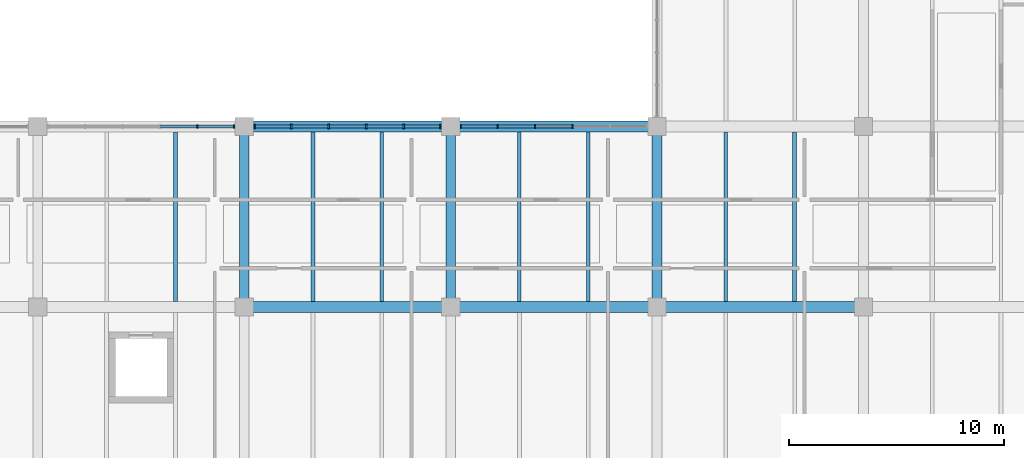
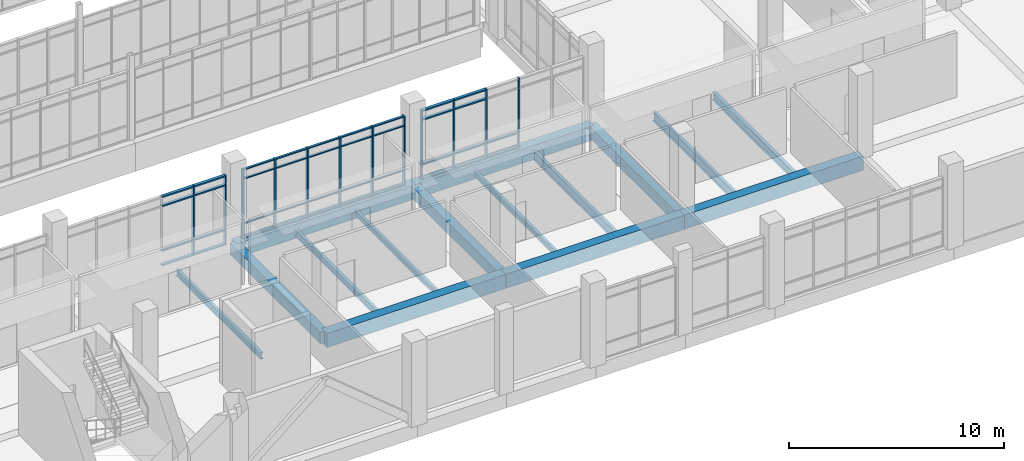
# One storey, part 46 of 152: 50 members, 15 beams, 3 elements without a shape of their own.
"""IFC4 building model written with IfcOpenShell, lengths in metres."""

from ifc_helpers import new_model, si_unit, direction, frame, origin, origin_2d, place, context, subcontext, project, spatial, rectangle, i_section, extrude, material, material_profile, profile_set, type_object, element, aggregate, save


model = new_model("IFC4")

# Units and contexts
model_context = context("Model", 3, precision=1e-05, world=origin(), true_north=direction((0.0, 1.0)))
body_context = subcontext(model_context, "Body", "Model", "MODEL_VIEW")
ifc_project = project(units=[si_unit("LENGTHUNIT", "METRE"), si_unit("AREAUNIT", "SQUARE_METRE"), si_unit("VOLUMEUNIT", "CUBIC_METRE"), si_unit("PLANEANGLEUNIT", "RADIAN"), si_unit("MASSUNIT", "GRAM", prefix="KILO")], contexts=[model_context])

# Site, building, storey
site_placement = place(None, origin())
site = spatial("IfcSite", under=ifc_project, at=site_placement, CompositionType="ELEMENT")
building_placement = place(site_placement, origin())
building = spatial("IfcBuilding", under=site, at=building_placement, Name="Oolite Switchyard Hospital", CompositionType="ELEMENT")
storey_placement = place(building_placement, frame((0.0, 0.0, 5.10009765625)))
storey = spatial("IfcBuildingStorey", under=building, at=storey_placement, Name="L01", CompositionType="ELEMENT", Elevation=5.10009765625)

# Beams
ifc_material_1 = material(Name="Concrete C40/50", Category="concrete")
ifc_material_profile_1 = material_profile(ifc_material_1, rectangle(XDim=0.449951171875, YDim=0.64990234375, at=origin_2d()), Name="RCB450X650")
ifc_profile_set_1 = profile_set([ifc_material_profile_1], Name="Concrete C40/50")
beam_type_1 = type_object("IfcBeamType", Name="BM-RC450X650", PredefinedType="BEAM", material=ifc_profile_set_1)
for number, where, z_axis, x_axis, name in (
    (1, (163.199951171875, 16.800048828125, -0.3251953125), (0.0, 1.0, 0.0), (-1.0, 0.0, 0.0), "L01 Y-Girder 488"),
    (2, (172.800048828125, 16.800048828125, -0.3251953125), (0.0, 1.0, 0.0), (-1.0, 0.0, 0.0), "L01 Y-Girder 500"),
    (3, (182.39990234375, 16.800048828125, -0.3251953125), (0.0, 1.0, 0.0), (-1.0, 0.0, 0.0), "L01 Y-Girder 512"),
):
    element("IfcBeam", number, at=place(storey_placement, frame(where, z_axis=z_axis, x_axis=x_axis)), inside=storey, type_object=beam_type_1, Name=name, PredefinedType="BEAM", context=body_context, shape_type="SweptSolid", body=[
        extrude(rectangle(XDim=0.449951171875, YDim=0.64990234375, at=origin_2d()), origin(), (0.0, 0.0, 1.0), 8.39990234375),
    ])
ifc_material_profile_2 = material_profile(ifc_material_1, rectangle(XDim=0.5, YDim=0.800048828125, at=origin_2d()), Name="RCB500X800")
ifc_profile_set_2 = profile_set([ifc_material_profile_2], Name="Concrete C40/50")
beam_type_2 = type_object("IfcBeamType", Name="BM-RC500X800", PredefinedType="BEAM", material=ifc_profile_set_2)
beam_1_placement = place(storey_placement, frame((163.199951171875, 16.800048828125, -0.400146484375), z_axis=(1.0, 0.0, 0.0), x_axis=(0.0, 1.0, 0.0)))
element("IfcBeam", 4, at=beam_1_placement, inside=storey, type_object=beam_type_2, Name="L01 X-Girder 36", PredefinedType="BEAM", context=body_context, shape_type="SweptSolid", body=[
    extrude(rectangle(XDim=0.5, YDim=0.800048828125, at=origin_2d()), origin(), (0.0, 0.0, 1.0), 9.60009765625),
])
beam_2_placement = place(storey_placement, frame((172.800048828125, 16.800048828125, -0.400146484375), z_axis=(1.0, 0.0, 0.0), x_axis=(0.0, 1.0, 0.0)))
element("IfcBeam", 5, at=beam_2_placement, inside=storey, type_object=beam_type_2, Name="L01 X-Girder 37", PredefinedType="BEAM", context=body_context, shape_type="SweptSolid", body=[
    extrude(rectangle(XDim=0.5, YDim=0.800048828125, at=origin_2d()), origin(), (0.0, 0.0, 1.0), 9.599853515625),
])
for number, where, z_axis, x_axis, name in (
    (6, (182.39990234375, 16.800048828125, -0.400146484375), (1.0, 0.0, 0.0), (0.0, 1.0, 0.0), "L01 X-Girder 38"),
    (7, (163.199951171875, 25.199951171875, -0.400146484375), (1.0, 0.0, 0.0), (0.0, 1.0, 0.0), "L01 X-Girder 57"),
):
    element("IfcBeam", number, at=place(storey_placement, frame(where, z_axis=z_axis, x_axis=x_axis)), inside=storey, type_object=beam_type_2, Name=name, PredefinedType="BEAM", context=body_context, shape_type="SweptSolid", body=[
        extrude(rectangle(XDim=0.5, YDim=0.800048828125, at=origin_2d()), origin(), (0.0, 0.0, 1.0), 9.60009765625),
    ])
beam_3_placement = place(storey_placement, frame((172.800048828125, 25.199951171875, -0.400146484375), z_axis=(1.0, 0.0, 0.0), x_axis=(0.0, 1.0, 0.0)))
element("IfcBeam", 8, at=beam_3_placement, inside=storey, type_object=beam_type_2, Name="L01 X-Girder 58", PredefinedType="BEAM", context=body_context, shape_type="SweptSolid", body=[
    extrude(rectangle(XDim=0.5, YDim=0.800048828125, at=origin_2d()), origin(), (0.0, 0.0, 1.0), 9.599853515625),
])
ifc_material_2 = material(Name="Steel ASTM A992 Grade 50", Category="steel")
ifc_material_profile_3 = material_profile(ifc_material_2, i_section(OverallWidth=0.1650390625, OverallDepth=0.31005859375, WebThickness=0.006103515625, FlangeThickness=0.010009765625, at=origin_2d()), Name="W12X26")
ifc_profile_set_3 = profile_set([ifc_material_profile_3], Name="Steel ASTM A992 Grade 50")
beam_type_3 = type_object("IfcBeamType", Name="BM-W12X26", PredefinedType="JOIST", material=ifc_profile_set_3)
for number, where, z_axis, x_axis, name in (
    (9, (169.60009765625, 17.050048828125, -0.43017578125), (0.0, 1.0, 0.0), (-1.0, 0.0, 0.0), "L01 Secondary Steel Joist 895"),
    (10, (176.0, 17.050048828125, -0.43017578125), (0.0, 1.0, 0.0), (-1.0, 0.0, 0.0), "L01 Secondary Steel Joist 914"),
):
    element("IfcBeam", number, at=place(storey_placement, frame(where, z_axis=z_axis, x_axis=x_axis)), inside=storey, type_object=beam_type_3, Name=name, PredefinedType="JOIST", context=body_context, shape_type="SweptSolid", body=[
        extrude(i_section(OverallWidth=0.1650390625, OverallDepth=0.31005859375, WebThickness=0.006103515625, FlangeThickness=0.010009765625, at=origin_2d()), origin(), (0.0, 0.0, 1.0), 7.89990234375),
    ])
ifc_material_profile_4 = material_profile(ifc_material_2, i_section(OverallWidth=0.1708984375, OverallDepth=0.35107421875, WebThickness=0.007080078125, FlangeThickness=0.010009765625, at=origin_2d()), Name="W14X30")
ifc_profile_set_4 = profile_set([ifc_material_profile_4], Name="Steel ASTM A992 Grade 50")
beam_type_4 = type_object("IfcBeamType", Name="BM-W14X30", PredefinedType="JOIST", material=ifc_profile_set_4)
for number, where, z_axis, x_axis, name in (
    (11, (160.0, 17.050048828125, -0.4501953125), (0.0, 1.0, 0.0), (-1.0, 0.0, 0.0), "L01 Secondary Steel Joist 875"),
    (12, (166.39990234375, 17.050048828125, -0.4501953125), (0.0, 1.0, 0.0), (-1.0, 0.0, 0.0), "L01 Secondary Steel Joist 894"),
):
    element("IfcBeam", number, at=place(storey_placement, frame(where, z_axis=z_axis, x_axis=x_axis)), inside=storey, type_object=beam_type_4, Name=name, PredefinedType="JOIST", context=body_context, shape_type="SweptSolid", body=[
        extrude(i_section(OverallWidth=0.1708984375, OverallDepth=0.35107421875, WebThickness=0.007080078125, FlangeThickness=0.010009765625, at=origin_2d()), origin(), (0.0, 0.0, 1.0), 7.89990234375),
    ])
ifc_material_profile_5 = material_profile(ifc_material_2, i_section(OverallWidth=0.19091796875, OverallDepth=0.4599609375, WebThickness=0.010009765625, FlangeThickness=0.01611328125, at=origin_2d()), Name="W18X55")
ifc_profile_set_5 = profile_set([ifc_material_profile_5], Name="Steel ASTM A992 Grade 50")
beam_type_5 = type_object("IfcBeamType", Name="BM-W18X55", PredefinedType="JOIST", material=ifc_profile_set_5)
beam_4_placement = place(storey_placement, frame((188.800048828125, 17.050048828125, -0.505126953125), z_axis=(0.0, 1.0, 0.0), x_axis=(-1.0, 0.0, 0.0)))
element("IfcBeam", 13, at=beam_4_placement, inside=storey, type_object=beam_type_5, Name="L01 Secondary Steel Joist 931", PredefinedType="JOIST", context=body_context, shape_type="SweptSolid", body=[
    extrude(i_section(OverallWidth=0.19091796875, OverallDepth=0.4599609375, WebThickness=0.010009765625, FlangeThickness=0.01611328125, at=origin_2d()), origin(), (0.0, 0.0, 1.0), 7.89990234375),
])
ifc_material_profile_6 = material_profile(ifc_material_2, i_section(OverallWidth=0.166015625, OverallDepth=0.529052734375, WebThickness=0.010009765625, FlangeThickness=0.013916015625, at=origin_2d()), Name="W21X50")
ifc_profile_set_6 = profile_set([ifc_material_profile_6], Name="Steel ASTM A992 Grade 50")
beam_type_6 = type_object("IfcBeamType", Name="BM-W21X50", PredefinedType="JOIST", material=ifc_profile_set_6)
for number, where, z_axis, x_axis, name in (
    (14, (179.199951171875, 17.050048828125, -0.5400390625), (0.0, 1.0, 0.0), (-1.0, 0.0, 0.0), "L01 Secondary Steel Joist 915"),
    (15, (185.60009765625, 17.050048828125, -0.5400390625), (0.0, 1.0, 0.0), (-1.0, 0.0, 0.0), "L01 Secondary Steel Joist 930"),
):
    element("IfcBeam", number, at=place(storey_placement, frame(where, z_axis=z_axis, x_axis=x_axis)), inside=storey, type_object=beam_type_6, Name=name, PredefinedType="JOIST", context=body_context, shape_type="SweptSolid", body=[
        extrude(i_section(OverallWidth=0.166015625, OverallDepth=0.529052734375, WebThickness=0.010009765625, FlangeThickness=0.013916015625, at=origin_2d()), origin(), (0.0, 0.0, 1.0), 7.89990234375),
    ])

# Curtain wall, members
ifc_material_3 = material(Name="Thermally broken aluminum frame with laminated impact glazing", Category="aluminium")
curtain_wall_type = type_object("IfcCurtainWallType", Name="CW-UNIT-96X48", PredefinedType="USERDEFINED", material=ifc_material_3)
curtain_wall_1_placement = place(storey_placement, origin())
curtain_wall_1 = element("IfcCurtainWall", 16, at=curtain_wall_1_placement, inside=storey, type_object=curtain_wall_type, Name="L01 Unitised Curtain Wall 107", ObjectType="UNITISED", PredefinedType="USERDEFINED")
ifc_material_4 = material(Name="Aluminium 6063-T6", Category="aluminium")
ifc_material_profile_7 = material_profile(ifc_material_4, rectangle(XDim=0.159912109375, YDim=0.06005859375, at=origin_2d()), Name="CWM60X160")
ifc_profile_set_7 = profile_set([ifc_material_profile_7], Name="Aluminium 6063-T6")
member_type_1 = type_object("IfcMemberType", Name="CW-MUL-180", PredefinedType="MULLION", material=ifc_profile_set_7)
member_1_placement = place(storey_placement, frame((173.27001953125, 25.199951171875, 0.0), z_axis=(0.0, 0.0, 1.0), x_axis=(0.0, 1.0, 0.0)))
member_1 = element("IfcMember", 17, at=member_1_placement, type_object=member_type_1, Name="CW-02 mullion 1", PredefinedType="MULLION", context=body_context, shape_type="SweptSolid", body=[
    extrude(rectangle(XDim=0.159912109375, YDim=0.06005859375, at=origin_2d()), origin(), (0.0, 0.0, 1.0), 3.93994140625),
])
member_2_placement = place(storey_placement, frame((174.98388671875, 25.199951171875, 0.0), z_axis=(0.0, 0.0, 1.0), x_axis=(0.0, 1.0, 0.0)))
member_2 = element("IfcMember", 18, at=member_2_placement, type_object=member_type_1, Name="CW-02 mullion 2", PredefinedType="MULLION", context=body_context, shape_type="SweptSolid", body=[
    extrude(rectangle(XDim=0.159912109375, YDim=0.06005859375, at=origin_2d()), origin(), (0.0, 0.0, 1.0), 3.93994140625),
])
member_3_placement = place(storey_placement, frame((176.72802734375, 25.199951171875, 0.0), z_axis=(0.0, 0.0, 1.0), x_axis=(0.0, 1.0, 0.0)))
member_3 = element("IfcMember", 19, at=member_3_placement, type_object=member_type_1, Name="CW-02 mullion 3", PredefinedType="MULLION", context=body_context, shape_type="SweptSolid", body=[
    extrude(rectangle(XDim=0.159912109375, YDim=0.06005859375, at=origin_2d()), origin(), (0.0, 0.0, 1.0), 3.93994140625),
])
member_4_placement = place(storey_placement, frame((178.471923828125, 25.199951171875, 0.0), z_axis=(0.0, 0.0, 1.0), x_axis=(0.0, 1.0, 0.0)))
member_4 = element("IfcMember", 20, at=member_4_placement, type_object=member_type_1, Name="CW-02 mullion 4", PredefinedType="MULLION", context=body_context, shape_type="SweptSolid", body=[
    extrude(rectangle(XDim=0.159912109375, YDim=0.06005859375, at=origin_2d()), origin(), (0.0, 0.0, 1.0), 3.93994140625),
])

curtain_wall_2_placement = place(storey_placement, origin())
curtain_wall_2 = element("IfcCurtainWall", 21, at=curtain_wall_2_placement, inside=storey, type_object=curtain_wall_type, Name="L01 Unitised Curtain Wall 105", ObjectType="UNITISED", PredefinedType="USERDEFINED")
ifc_material_profile_8 = material_profile(ifc_material_4, rectangle(XDim=0.179931640625, YDim=0.070068359375, at=origin_2d()), Name="CWM70X180")
ifc_profile_set_8 = profile_set([ifc_material_profile_8], Name="Aluminium 6063-T6")
member_type_2 = type_object("IfcMemberType", Name="CW-MUL-220", PredefinedType="MULLION", material=ifc_profile_set_8)
member_5_placement = place(storey_placement, frame((161.01611328125, 25.199951171875, 0.0), z_axis=(0.0, 0.0, 1.0), x_axis=(0.0, 1.0, 0.0)))
member_5 = element("IfcMember", 22, at=member_5_placement, type_object=member_type_2, Name="CW-02 mullion 5", PredefinedType="MULLION", context=body_context, shape_type="SweptSolid", body=[
    extrude(rectangle(XDim=0.179931640625, YDim=0.070068359375, at=origin_2d()), origin(), (0.0, 0.0, 1.0), 3.93994140625),
])
member_6_placement = place(storey_placement, frame((162.72509765625, 25.199951171875, 0.0), z_axis=(0.0, 0.0, 1.0), x_axis=(0.0, 1.0, 0.0)))
member_6 = element("IfcMember", 23, at=member_6_placement, type_object=member_type_2, Name="CW-02 mullion 6", PredefinedType="MULLION", context=body_context, shape_type="SweptSolid", body=[
    extrude(rectangle(XDim=0.179931640625, YDim=0.070068359375, at=origin_2d()), origin(), (0.0, 0.0, 1.0), 3.93994140625),
])

curtain_wall_3_placement = place(storey_placement, origin())
curtain_wall_3 = element("IfcCurtainWall", 24, at=curtain_wall_3_placement, inside=storey, type_object=curtain_wall_type, Name="L01 Unitised Curtain Wall 106", ObjectType="UNITISED", PredefinedType="USERDEFINED")
ifc_material_profile_9 = material_profile(ifc_material_4, rectangle(XDim=0.199951171875, YDim=0.074951171875, at=origin_2d()), Name="CWM75X200")
ifc_profile_set_9 = profile_set([ifc_material_profile_9], Name="Aluminium 6063-T6")
member_type_3 = type_object("IfcMemberType", Name="CW-MUL-260", PredefinedType="MULLION", material=ifc_profile_set_9)
member_7_placement = place(storey_placement, frame((163.677490234375, 25.199951171875, 0.0), z_axis=(0.0, 0.0, 1.0), x_axis=(0.0, 1.0, 0.0)))
member_7 = element("IfcMember", 25, at=member_7_placement, type_object=member_type_3, Name="CW-02 mullion 1", PredefinedType="MULLION", context=body_context, shape_type="SweptSolid", body=[
    extrude(rectangle(XDim=0.199951171875, YDim=0.074951171875, at=origin_2d()), origin(), (0.0, 0.0, 1.0), 3.93994140625),
])
member_8_placement = place(storey_placement, frame((165.384033203125, 25.199951171875, 0.0), z_axis=(0.0, 0.0, 1.0), x_axis=(0.0, 1.0, 0.0)))
member_8 = element("IfcMember", 26, at=member_8_placement, type_object=member_type_3, Name="CW-02 mullion 2", PredefinedType="MULLION", context=body_context, shape_type="SweptSolid", body=[
    extrude(rectangle(XDim=0.199951171875, YDim=0.074951171875, at=origin_2d()), origin(), (0.0, 0.0, 1.0), 3.93994140625),
])
member_9_placement = place(storey_placement, frame((167.1279296875, 25.199951171875, 0.0), z_axis=(0.0, 0.0, 1.0), x_axis=(0.0, 1.0, 0.0)))
member_9 = element("IfcMember", 27, at=member_9_placement, type_object=member_type_3, Name="CW-02 mullion 3", PredefinedType="MULLION", context=body_context, shape_type="SweptSolid", body=[
    extrude(rectangle(XDim=0.199951171875, YDim=0.074951171875, at=origin_2d()), origin(), (0.0, 0.0, 1.0), 3.93994140625),
])
member_10_placement = place(storey_placement, frame((168.8720703125, 25.199951171875, 0.0), z_axis=(0.0, 0.0, 1.0), x_axis=(0.0, 1.0, 0.0)))
member_10 = element("IfcMember", 28, at=member_10_placement, type_object=member_type_3, Name="CW-02 mullion 4", PredefinedType="MULLION", context=body_context, shape_type="SweptSolid", body=[
    extrude(rectangle(XDim=0.199951171875, YDim=0.074951171875, at=origin_2d()), origin(), (0.0, 0.0, 1.0), 3.93994140625),
])
member_11_placement = place(storey_placement, frame((170.615966796875, 25.199951171875, 0.0), z_axis=(0.0, 0.0, 1.0), x_axis=(0.0, 1.0, 0.0)))
member_11 = element("IfcMember", 29, at=member_11_placement, type_object=member_type_3, Name="CW-02 mullion 5", PredefinedType="MULLION", context=body_context, shape_type="SweptSolid", body=[
    extrude(rectangle(XDim=0.199951171875, YDim=0.074951171875, at=origin_2d()), origin(), (0.0, 0.0, 1.0), 3.93994140625),
])
member_12_placement = place(storey_placement, frame((172.322509765625, 25.199951171875, 0.0), z_axis=(0.0, 0.0, 1.0), x_axis=(0.0, 1.0, 0.0)))
member_12 = element("IfcMember", 30, at=member_12_placement, type_object=member_type_3, Name="CW-02 mullion 6", PredefinedType="MULLION", context=body_context, shape_type="SweptSolid", body=[
    extrude(rectangle(XDim=0.199951171875, YDim=0.074951171875, at=origin_2d()), origin(), (0.0, 0.0, 1.0), 3.93994140625),
])
ifc_material_profile_10 = material_profile(ifc_material_4, rectangle(XDim=0.1201171875, YDim=0.06005859375, at=origin_2d()), Name="CWT60X120")
ifc_profile_set_10 = profile_set([ifc_material_profile_10], Name="Aluminium 6063-T6")
member_type_4 = type_object("IfcMemberType", Name="CW-TRN-150", PredefinedType="USERDEFINED", material=ifc_profile_set_10)
member_13_placement = place(storey_placement, frame((163.715087890625, 25.199951171875, 0.02978515625), z_axis=(1.0, 0.0, 0.0), x_axis=(0.0, 1.0, 0.0)))
member_13 = element("IfcMember", 31, at=member_13_placement, type_object=member_type_4, Name="CW-02 transom 1.1", ObjectType="TRANSOM", PredefinedType="USERDEFINED", context=body_context, shape_type="SweptSolid", body=[
    extrude(rectangle(XDim=0.1201171875, YDim=0.06005859375, at=origin_2d()), origin(), (0.0, 0.0, 1.0), 1.63134765625),
])
member_14_placement = place(storey_placement, frame((163.715087890625, 25.199951171875, 0.849853515625), z_axis=(1.0, 0.0, 0.0), x_axis=(0.0, 1.0, 0.0)))
member_14 = element("IfcMember", 32, at=member_14_placement, type_object=member_type_4, Name="CW-02 transom 1.2", ObjectType="TRANSOM", PredefinedType="USERDEFINED", context=body_context, shape_type="SweptSolid", body=[
    extrude(rectangle(XDim=0.1201171875, YDim=0.06005859375, at=origin_2d()), origin(), (0.0, 0.0, 1.0), 1.63134765625),
])
member_15_placement = place(storey_placement, frame((163.715087890625, 25.199951171875, 3.389892578125), z_axis=(1.0, 0.0, 0.0), x_axis=(0.0, 1.0, 0.0)))
member_15 = element("IfcMember", 33, at=member_15_placement, type_object=member_type_4, Name="CW-02 transom 1.3", ObjectType="TRANSOM", PredefinedType="USERDEFINED", context=body_context, shape_type="SweptSolid", body=[
    extrude(rectangle(XDim=0.1201171875, YDim=0.06005859375, at=origin_2d()), origin(), (0.0, 0.0, 1.0), 1.63134765625),
])
member_16_placement = place(storey_placement, frame((163.715087890625, 25.199951171875, 3.909912109375), z_axis=(1.0, 0.0, 0.0), x_axis=(0.0, 1.0, 0.0)))
member_16 = element("IfcMember", 34, at=member_16_placement, type_object=member_type_4, Name="CW-02 transom 1.4", ObjectType="TRANSOM", PredefinedType="USERDEFINED", context=body_context, shape_type="SweptSolid", body=[
    extrude(rectangle(XDim=0.1201171875, YDim=0.06005859375, at=origin_2d()), origin(), (0.0, 0.0, 1.0), 1.63134765625),
])
member_17_placement = place(storey_placement, frame((165.42138671875, 25.199951171875, 0.02978515625), z_axis=(1.0, 0.0, 0.0), x_axis=(0.0, 1.0, 0.0)))
member_17 = element("IfcMember", 35, at=member_17_placement, type_object=member_type_4, Name="CW-02 transom 2.1", ObjectType="TRANSOM", PredefinedType="USERDEFINED", context=body_context, shape_type="SweptSolid", body=[
    extrude(rectangle(XDim=0.1201171875, YDim=0.06005859375, at=origin_2d()), origin(), (0.0, 0.0, 1.0), 1.669189453125),
])
member_18_placement = place(storey_placement, frame((165.42138671875, 25.199951171875, 0.849853515625), z_axis=(1.0, 0.0, 0.0), x_axis=(0.0, 1.0, 0.0)))
member_18 = element("IfcMember", 36, at=member_18_placement, type_object=member_type_4, Name="CW-02 transom 2.2", ObjectType="TRANSOM", PredefinedType="USERDEFINED", context=body_context, shape_type="SweptSolid", body=[
    extrude(rectangle(XDim=0.1201171875, YDim=0.06005859375, at=origin_2d()), origin(), (0.0, 0.0, 1.0), 1.669189453125),
])
member_19_placement = place(storey_placement, frame((165.42138671875, 25.199951171875, 3.389892578125), z_axis=(1.0, 0.0, 0.0), x_axis=(0.0, 1.0, 0.0)))
member_19 = element("IfcMember", 37, at=member_19_placement, type_object=member_type_4, Name="CW-02 transom 2.3", ObjectType="TRANSOM", PredefinedType="USERDEFINED", context=body_context, shape_type="SweptSolid", body=[
    extrude(rectangle(XDim=0.1201171875, YDim=0.06005859375, at=origin_2d()), origin(), (0.0, 0.0, 1.0), 1.669189453125),
])
member_20_placement = place(storey_placement, frame((165.42138671875, 25.199951171875, 3.909912109375), z_axis=(1.0, 0.0, 0.0), x_axis=(0.0, 1.0, 0.0)))
member_20 = element("IfcMember", 38, at=member_20_placement, type_object=member_type_4, Name="CW-02 transom 2.4", ObjectType="TRANSOM", PredefinedType="USERDEFINED", context=body_context, shape_type="SweptSolid", body=[
    extrude(rectangle(XDim=0.1201171875, YDim=0.06005859375, at=origin_2d()), origin(), (0.0, 0.0, 1.0), 1.669189453125),
])
member_21_placement = place(storey_placement, frame((167.16552734375, 25.199951171875, 0.02978515625), z_axis=(1.0, 0.0, 0.0), x_axis=(0.0, 1.0, 0.0)))
member_21 = element("IfcMember", 39, at=member_21_placement, type_object=member_type_4, Name="CW-02 transom 3.1", ObjectType="TRANSOM", PredefinedType="USERDEFINED", context=body_context, shape_type="SweptSolid", body=[
    extrude(rectangle(XDim=0.1201171875, YDim=0.06005859375, at=origin_2d()), origin(), (0.0, 0.0, 1.0), 1.6689453125),
])
member_22_placement = place(storey_placement, frame((167.16552734375, 25.199951171875, 0.849853515625), z_axis=(1.0, 0.0, 0.0), x_axis=(0.0, 1.0, 0.0)))
member_22 = element("IfcMember", 40, at=member_22_placement, type_object=member_type_4, Name="CW-02 transom 3.2", ObjectType="TRANSOM", PredefinedType="USERDEFINED", context=body_context, shape_type="SweptSolid", body=[
    extrude(rectangle(XDim=0.1201171875, YDim=0.06005859375, at=origin_2d()), origin(), (0.0, 0.0, 1.0), 1.6689453125),
])
member_23_placement = place(storey_placement, frame((167.16552734375, 25.199951171875, 3.389892578125), z_axis=(1.0, 0.0, 0.0), x_axis=(0.0, 1.0, 0.0)))
member_23 = element("IfcMember", 41, at=member_23_placement, type_object=member_type_4, Name="CW-02 transom 3.3", ObjectType="TRANSOM", PredefinedType="USERDEFINED", context=body_context, shape_type="SweptSolid", body=[
    extrude(rectangle(XDim=0.1201171875, YDim=0.06005859375, at=origin_2d()), origin(), (0.0, 0.0, 1.0), 1.6689453125),
])
member_24_placement = place(storey_placement, frame((167.16552734375, 25.199951171875, 3.909912109375), z_axis=(1.0, 0.0, 0.0), x_axis=(0.0, 1.0, 0.0)))
member_24 = element("IfcMember", 42, at=member_24_placement, type_object=member_type_4, Name="CW-02 transom 3.4", ObjectType="TRANSOM", PredefinedType="USERDEFINED", context=body_context, shape_type="SweptSolid", body=[
    extrude(rectangle(XDim=0.1201171875, YDim=0.06005859375, at=origin_2d()), origin(), (0.0, 0.0, 1.0), 1.6689453125),
])
member_25_placement = place(storey_placement, frame((168.909423828125, 25.199951171875, 0.02978515625), z_axis=(1.0, 0.0, 0.0), x_axis=(0.0, 1.0, 0.0)))
member_25 = element("IfcMember", 43, at=member_25_placement, type_object=member_type_4, Name="CW-02 transom 4.1", ObjectType="TRANSOM", PredefinedType="USERDEFINED", context=body_context, shape_type="SweptSolid", body=[
    extrude(rectangle(XDim=0.1201171875, YDim=0.06005859375, at=origin_2d()), origin(), (0.0, 0.0, 1.0), 1.669189453125),
])
member_26_placement = place(storey_placement, frame((168.909423828125, 25.199951171875, 0.849853515625), z_axis=(1.0, 0.0, 0.0), x_axis=(0.0, 1.0, 0.0)))
member_26 = element("IfcMember", 44, at=member_26_placement, type_object=member_type_4, Name="CW-02 transom 4.2", ObjectType="TRANSOM", PredefinedType="USERDEFINED", context=body_context, shape_type="SweptSolid", body=[
    extrude(rectangle(XDim=0.1201171875, YDim=0.06005859375, at=origin_2d()), origin(), (0.0, 0.0, 1.0), 1.669189453125),
])
member_27_placement = place(storey_placement, frame((168.909423828125, 25.199951171875, 3.389892578125), z_axis=(1.0, 0.0, 0.0), x_axis=(0.0, 1.0, 0.0)))
member_27 = element("IfcMember", 45, at=member_27_placement, type_object=member_type_4, Name="CW-02 transom 4.3", ObjectType="TRANSOM", PredefinedType="USERDEFINED", context=body_context, shape_type="SweptSolid", body=[
    extrude(rectangle(XDim=0.1201171875, YDim=0.06005859375, at=origin_2d()), origin(), (0.0, 0.0, 1.0), 1.669189453125),
])
member_28_placement = place(storey_placement, frame((168.909423828125, 25.199951171875, 3.909912109375), z_axis=(1.0, 0.0, 0.0), x_axis=(0.0, 1.0, 0.0)))
member_28 = element("IfcMember", 46, at=member_28_placement, type_object=member_type_4, Name="CW-02 transom 4.4", ObjectType="TRANSOM", PredefinedType="USERDEFINED", context=body_context, shape_type="SweptSolid", body=[
    extrude(rectangle(XDim=0.1201171875, YDim=0.06005859375, at=origin_2d()), origin(), (0.0, 0.0, 1.0), 1.669189453125),
])
member_29_placement = place(storey_placement, frame((170.653564453125, 25.199951171875, 0.02978515625), z_axis=(1.0, 0.0, 0.0), x_axis=(0.0, 1.0, 0.0)))
member_29 = element("IfcMember", 47, at=member_29_placement, type_object=member_type_4, Name="CW-02 transom 5.1", ObjectType="TRANSOM", PredefinedType="USERDEFINED", context=body_context, shape_type="SweptSolid", body=[
    extrude(rectangle(XDim=0.1201171875, YDim=0.06005859375, at=origin_2d()), origin(), (0.0, 0.0, 1.0), 1.63134765625),
])
member_30_placement = place(storey_placement, frame((170.653564453125, 25.199951171875, 0.849853515625), z_axis=(1.0, 0.0, 0.0), x_axis=(0.0, 1.0, 0.0)))
member_30 = element("IfcMember", 48, at=member_30_placement, type_object=member_type_4, Name="CW-02 transom 5.2", ObjectType="TRANSOM", PredefinedType="USERDEFINED", context=body_context, shape_type="SweptSolid", body=[
    extrude(rectangle(XDim=0.1201171875, YDim=0.06005859375, at=origin_2d()), origin(), (0.0, 0.0, 1.0), 1.63134765625),
])
member_31_placement = place(storey_placement, frame((170.653564453125, 25.199951171875, 3.389892578125), z_axis=(1.0, 0.0, 0.0), x_axis=(0.0, 1.0, 0.0)))
member_31 = element("IfcMember", 49, at=member_31_placement, type_object=member_type_4, Name="CW-02 transom 5.3", ObjectType="TRANSOM", PredefinedType="USERDEFINED", context=body_context, shape_type="SweptSolid", body=[
    extrude(rectangle(XDim=0.1201171875, YDim=0.06005859375, at=origin_2d()), origin(), (0.0, 0.0, 1.0), 1.63134765625),
])
member_32_placement = place(storey_placement, frame((170.653564453125, 25.199951171875, 3.909912109375), z_axis=(1.0, 0.0, 0.0), x_axis=(0.0, 1.0, 0.0)))
member_32 = element("IfcMember", 50, at=member_32_placement, type_object=member_type_4, Name="CW-02 transom 5.4", ObjectType="TRANSOM", PredefinedType="USERDEFINED", context=body_context, shape_type="SweptSolid", body=[
    extrude(rectangle(XDim=0.1201171875, YDim=0.06005859375, at=origin_2d()), origin(), (0.0, 0.0, 1.0), 1.63134765625),
])
aggregate(curtain_wall_3, [member_7, member_8, member_9, member_10, member_11, member_12, member_13, member_14, member_15, member_16, member_17, member_18, member_19, member_20, member_21, member_22, member_23, member_24, member_25, member_26, member_27, member_28, member_29, member_30, member_31, member_32])

# Member
ifc_material_profile_11 = material_profile(ifc_material_4, rectangle(XDim=0.159912109375, YDim=0.074951171875, at=origin_2d()), Name="CWT75X160")
ifc_profile_set_11 = profile_set([ifc_material_profile_11], Name="Aluminium 6063-T6")
member_type_5 = type_object("IfcMemberType", Name="CW-TRN-180", PredefinedType="USERDEFINED", material=ifc_profile_set_11)
member_33_placement = place(storey_placement, frame((159.306884765625, 25.199951171875, 0.037353515625), z_axis=(1.0, 0.0, 0.0), x_axis=(0.0, 1.0, 0.0)))
member_33 = element("IfcMember", 51, at=member_33_placement, type_object=member_type_5, Name="CW-02 transom 4.1", ObjectType="TRANSOM", PredefinedType="USERDEFINED", context=body_context, shape_type="SweptSolid", body=[
    extrude(rectangle(XDim=0.159912109375, YDim=0.074951171875, at=origin_2d()), origin(), (0.0, 0.0, 1.0), 1.674072265625),
])

member_34_placement = place(storey_placement, frame((159.306884765625, 25.199951171875, 0.849853515625), z_axis=(1.0, 0.0, 0.0), x_axis=(0.0, 1.0, 0.0)))
member_34 = element("IfcMember", 52, at=member_34_placement, type_object=member_type_5, Name="CW-02 transom 4.2", ObjectType="TRANSOM", PredefinedType="USERDEFINED", context=body_context, shape_type="SweptSolid", body=[
    extrude(rectangle(XDim=0.159912109375, YDim=0.074951171875, at=origin_2d()), origin(), (0.0, 0.0, 1.0), 1.674072265625),
])

member_35_placement = place(storey_placement, frame((159.306884765625, 25.199951171875, 3.389892578125), z_axis=(1.0, 0.0, 0.0), x_axis=(0.0, 1.0, 0.0)))
member_35 = element("IfcMember", 53, at=member_35_placement, type_object=member_type_5, Name="CW-02 transom 4.3", ObjectType="TRANSOM", PredefinedType="USERDEFINED", context=body_context, shape_type="SweptSolid", body=[
    extrude(rectangle(XDim=0.159912109375, YDim=0.074951171875, at=origin_2d()), origin(), (0.0, 0.0, 1.0), 1.674072265625),
])

member_36_placement = place(storey_placement, frame((159.306884765625, 25.199951171875, 3.90234375), z_axis=(1.0, 0.0, 0.0), x_axis=(0.0, 1.0, 0.0)))
member_36 = element("IfcMember", 54, at=member_36_placement, type_object=member_type_5, Name="CW-02 transom 4.4", ObjectType="TRANSOM", PredefinedType="USERDEFINED", context=body_context, shape_type="SweptSolid", body=[
    extrude(rectangle(XDim=0.159912109375, YDim=0.074951171875, at=origin_2d()), origin(), (0.0, 0.0, 1.0), 1.674072265625),
])

member_37_placement = place(storey_placement, frame((161.051025390625, 25.199951171875, 0.037353515625), z_axis=(1.0, 0.0, 0.0), x_axis=(0.0, 1.0, 0.0)))
member_37 = element("IfcMember", 55, at=member_37_placement, type_object=member_type_5, Name="CW-02 transom 5.1", ObjectType="TRANSOM", PredefinedType="USERDEFINED", context=body_context, shape_type="SweptSolid", body=[
    extrude(rectangle(XDim=0.159912109375, YDim=0.074951171875, at=origin_2d()), origin(), (0.0, 0.0, 1.0), 1.638916015625),
])

member_38_placement = place(storey_placement, frame((161.051025390625, 25.199951171875, 0.849853515625), z_axis=(1.0, 0.0, 0.0), x_axis=(0.0, 1.0, 0.0)))
member_38 = element("IfcMember", 56, at=member_38_placement, type_object=member_type_5, Name="CW-02 transom 5.2", ObjectType="TRANSOM", PredefinedType="USERDEFINED", context=body_context, shape_type="SweptSolid", body=[
    extrude(rectangle(XDim=0.159912109375, YDim=0.074951171875, at=origin_2d()), origin(), (0.0, 0.0, 1.0), 1.638916015625),
])

member_39_placement = place(storey_placement, frame((161.051025390625, 25.199951171875, 3.389892578125), z_axis=(1.0, 0.0, 0.0), x_axis=(0.0, 1.0, 0.0)))
member_39 = element("IfcMember", 57, at=member_39_placement, type_object=member_type_5, Name="CW-02 transom 5.3", ObjectType="TRANSOM", PredefinedType="USERDEFINED", context=body_context, shape_type="SweptSolid", body=[
    extrude(rectangle(XDim=0.159912109375, YDim=0.074951171875, at=origin_2d()), origin(), (0.0, 0.0, 1.0), 1.638916015625),
])

member_40_placement = place(storey_placement, frame((161.051025390625, 25.199951171875, 3.90234375), z_axis=(1.0, 0.0, 0.0), x_axis=(0.0, 1.0, 0.0)))
member_40 = element("IfcMember", 58, at=member_40_placement, type_object=member_type_5, Name="CW-02 transom 5.4", ObjectType="TRANSOM", PredefinedType="USERDEFINED", context=body_context, shape_type="SweptSolid", body=[
    extrude(rectangle(XDim=0.159912109375, YDim=0.074951171875, at=origin_2d()), origin(), (0.0, 0.0, 1.0), 1.638916015625),
])

aggregate(curtain_wall_2, [member_5, member_6, member_33, member_34, member_35, member_36, member_37, member_38, member_39, member_40])

member_41_placement = place(storey_placement, frame((173.300048828125, 25.199951171875, 0.037353515625), z_axis=(1.0, 0.0, 0.0), x_axis=(0.0, 1.0, 0.0)))
member_41 = element("IfcMember", 59, at=member_41_placement, type_object=member_type_5, Name="CW-02 transom 1.1", ObjectType="TRANSOM", PredefinedType="USERDEFINED", context=body_context, shape_type="SweptSolid", body=[
    extrude(rectangle(XDim=0.159912109375, YDim=0.074951171875, at=origin_2d()), origin(), (0.0, 0.0, 1.0), 1.654052734375),
])

member_42_placement = place(storey_placement, frame((173.300048828125, 25.199951171875, 0.849853515625), z_axis=(1.0, 0.0, 0.0), x_axis=(0.0, 1.0, 0.0)))
member_42 = element("IfcMember", 60, at=member_42_placement, type_object=member_type_5, Name="CW-02 transom 1.2", ObjectType="TRANSOM", PredefinedType="USERDEFINED", context=body_context, shape_type="SweptSolid", body=[
    extrude(rectangle(XDim=0.159912109375, YDim=0.074951171875, at=origin_2d()), origin(), (0.0, 0.0, 1.0), 1.654052734375),
])

member_43_placement = place(storey_placement, frame((173.300048828125, 25.199951171875, 3.389892578125), z_axis=(1.0, 0.0, 0.0), x_axis=(0.0, 1.0, 0.0)))
member_43 = element("IfcMember", 61, at=member_43_placement, type_object=member_type_5, Name="CW-02 transom 1.3", ObjectType="TRANSOM", PredefinedType="USERDEFINED", context=body_context, shape_type="SweptSolid", body=[
    extrude(rectangle(XDim=0.159912109375, YDim=0.074951171875, at=origin_2d()), origin(), (0.0, 0.0, 1.0), 1.654052734375),
])

member_44_placement = place(storey_placement, frame((173.300048828125, 25.199951171875, 3.90234375), z_axis=(1.0, 0.0, 0.0), x_axis=(0.0, 1.0, 0.0)))
member_44 = element("IfcMember", 62, at=member_44_placement, type_object=member_type_5, Name="CW-02 transom 1.4", ObjectType="TRANSOM", PredefinedType="USERDEFINED", context=body_context, shape_type="SweptSolid", body=[
    extrude(rectangle(XDim=0.159912109375, YDim=0.074951171875, at=origin_2d()), origin(), (0.0, 0.0, 1.0), 1.654052734375),
])

member_45_placement = place(storey_placement, frame((175.013916015625, 25.199951171875, 0.037353515625), z_axis=(1.0, 0.0, 0.0), x_axis=(0.0, 1.0, 0.0)))
member_45 = element("IfcMember", 63, at=member_45_placement, type_object=member_type_5, Name="CW-02 transom 2.1", ObjectType="TRANSOM", PredefinedType="USERDEFINED", context=body_context, shape_type="SweptSolid", body=[
    extrude(rectangle(XDim=0.159912109375, YDim=0.074951171875, at=origin_2d()), origin(), (0.0, 0.0, 1.0), 1.68408203125),
])

member_46_placement = place(storey_placement, frame((175.013916015625, 25.199951171875, 0.849853515625), z_axis=(1.0, 0.0, 0.0), x_axis=(0.0, 1.0, 0.0)))
member_46 = element("IfcMember", 64, at=member_46_placement, type_object=member_type_5, Name="CW-02 transom 2.2", ObjectType="TRANSOM", PredefinedType="USERDEFINED", context=body_context, shape_type="SweptSolid", body=[
    extrude(rectangle(XDim=0.159912109375, YDim=0.074951171875, at=origin_2d()), origin(), (0.0, 0.0, 1.0), 1.68408203125),
])

member_47_placement = place(storey_placement, frame((175.013916015625, 25.199951171875, 3.389892578125), z_axis=(1.0, 0.0, 0.0), x_axis=(0.0, 1.0, 0.0)))
member_47 = element("IfcMember", 65, at=member_47_placement, type_object=member_type_5, Name="CW-02 transom 2.3", ObjectType="TRANSOM", PredefinedType="USERDEFINED", context=body_context, shape_type="SweptSolid", body=[
    extrude(rectangle(XDim=0.159912109375, YDim=0.074951171875, at=origin_2d()), origin(), (0.0, 0.0, 1.0), 1.68408203125),
])

member_48_placement = place(storey_placement, frame((175.013916015625, 25.199951171875, 3.90234375), z_axis=(1.0, 0.0, 0.0), x_axis=(0.0, 1.0, 0.0)))
member_48 = element("IfcMember", 66, at=member_48_placement, type_object=member_type_5, Name="CW-02 transom 2.4", ObjectType="TRANSOM", PredefinedType="USERDEFINED", context=body_context, shape_type="SweptSolid", body=[
    extrude(rectangle(XDim=0.159912109375, YDim=0.074951171875, at=origin_2d()), origin(), (0.0, 0.0, 1.0), 1.68408203125),
])

member_49_placement = place(storey_placement, frame((176.758056640625, 25.199951171875, 0.037353515625), z_axis=(1.0, 0.0, 0.0), x_axis=(0.0, 1.0, 0.0)))
member_49 = element("IfcMember", 67, at=member_49_placement, type_object=member_type_5, Name="CW-02 transom 3.1", ObjectType="TRANSOM", PredefinedType="USERDEFINED", context=body_context, shape_type="SweptSolid", body=[
    extrude(rectangle(XDim=0.159912109375, YDim=0.074951171875, at=origin_2d()), origin(), (0.0, 0.0, 1.0), 1.683837890625),
])

member_50_placement = place(storey_placement, frame((176.758056640625, 25.199951171875, 0.849853515625), z_axis=(1.0, 0.0, 0.0), x_axis=(0.0, 1.0, 0.0)))
member_50 = element("IfcMember", 68, at=member_50_placement, type_object=member_type_5, Name="CW-02 transom 3.2", ObjectType="TRANSOM", PredefinedType="USERDEFINED", context=body_context, shape_type="SweptSolid", body=[
    extrude(rectangle(XDim=0.159912109375, YDim=0.074951171875, at=origin_2d()), origin(), (0.0, 0.0, 1.0), 1.683837890625),
])

aggregate(curtain_wall_1, [member_1, member_2, member_3, member_4, member_41, member_42, member_43, member_44, member_45, member_46, member_47, member_48, member_49, member_50])

save(model, "model.ifc")
